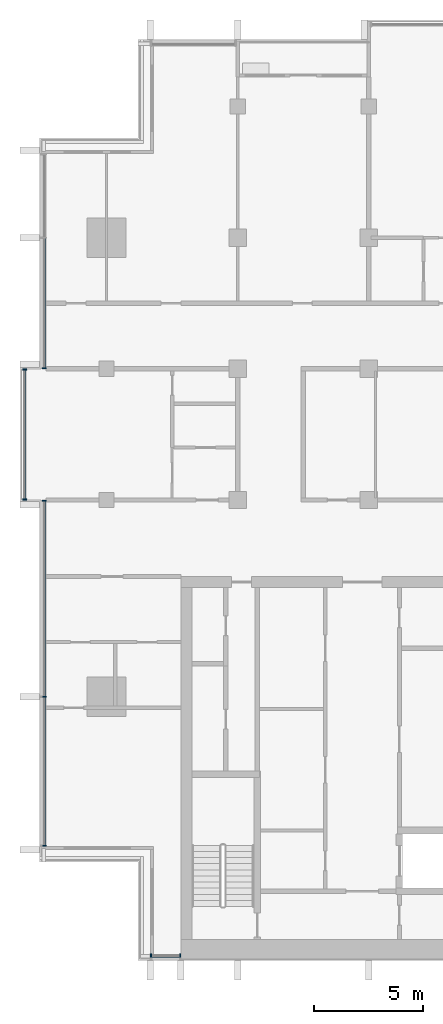
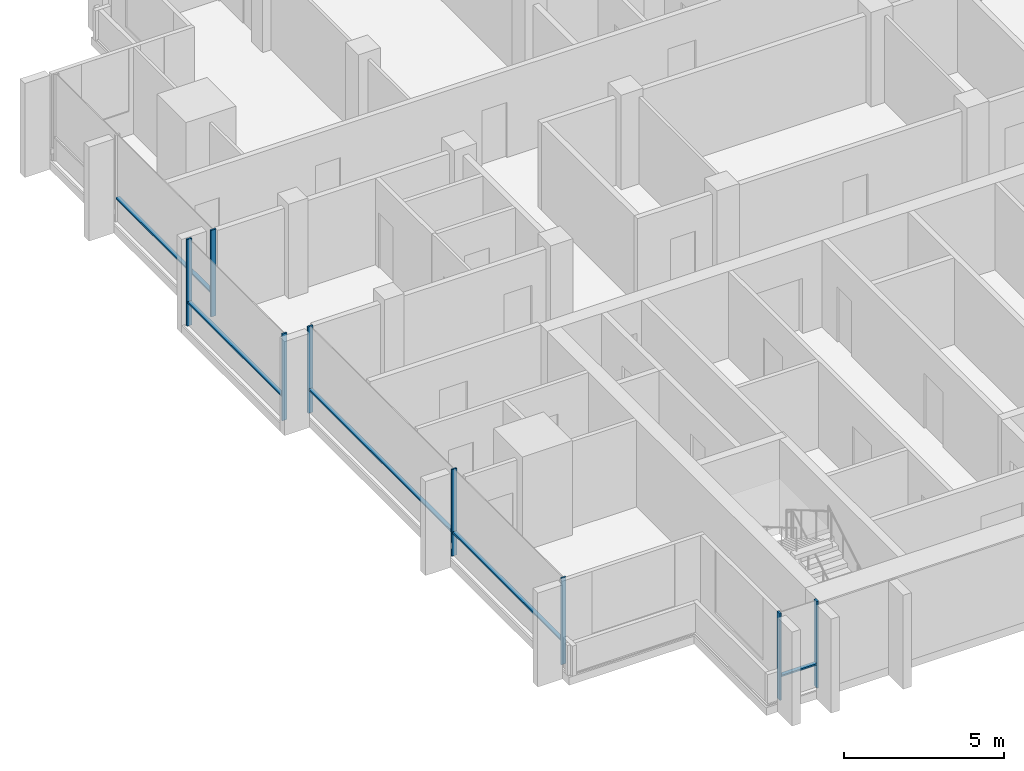
# One storey, part 2 of 16: 13 members, 4 elements without a shape of their own.
"""IFC4 building model written with IfcOpenShell, lengths in metres."""

from ifc_helpers import new_model, si_unit, direction, frame, origin, origin_2d, place, context, subcontext, project, spatial, rectangle, extrude, material, material_profile, profile_set, type_object, element, aggregate, save


model = new_model("IFC4")

# Units and contexts
model_context = context("Model", 3, precision=1e-05, world=origin(), true_north=direction((0.0, 1.0)))
body_context = subcontext(model_context, "Body", "Model", "MODEL_VIEW")
ifc_project = project(units=[si_unit("LENGTHUNIT", "METRE"), si_unit("AREAUNIT", "SQUARE_METRE"), si_unit("VOLUMEUNIT", "CUBIC_METRE"), si_unit("PLANEANGLEUNIT", "RADIAN"), si_unit("MASSUNIT", "GRAM", prefix="KILO")], contexts=[model_context])

# Site, building, storey
site_placement = place(None, origin())
site = spatial("IfcSite", under=ifc_project, at=site_placement, CompositionType="ELEMENT")
building_placement = place(site_placement, origin())
building = spatial("IfcBuilding", under=site, at=building_placement, Name="Finial Court Residences", CompositionType="ELEMENT")
storey_placement = place(building_placement, frame((0.0, 0.0, 255.5)))
storey = spatial("IfcBuildingStorey", under=building, at=storey_placement, Name="L64", CompositionType="ELEMENT", Elevation=255.5)

# Curtain wall, members
ifc_material = material(Name="Bronze anodised aluminium", Category="aluminium")
curtain_wall_type = type_object("IfcCurtainWallType", Name="Unitised curtain wall, upper zones", PredefinedType="NOTDEFINED", material=ifc_material)
curtain_wall_1_placement = place(storey_placement, origin())
curtain_wall_1 = element("IfcCurtainWall", 1, at=curtain_wall_1_placement, inside=storey, type_object=curtain_wall_type, Name="E-L64-CW-S7", PredefinedType="NOTDEFINED")
ifc_material_profile_1 = material_profile(ifc_material, rectangle(XDim=0.175048828125, YDim=0.06005859375, at=origin_2d()), Name="CW2 mullion 60 x 175")
ifc_profile_set_1 = profile_set([ifc_material_profile_1], Name="Bronze anodised aluminium")
member_type_1 = type_object("IfcMemberType", Name="CW2 mullion 60 x 175", PredefinedType="MULLION", material=ifc_profile_set_1)
member_1_placement = place(storey_placement, frame((-14.469970703125, -25.35009765625, 0.0), z_axis=(0.0, 0.0, 1.0), x_axis=(0.0, 1.0, 0.0)))
member_1 = element("IfcMember", 2, at=member_1_placement, type_object=member_type_1, Name="CW2 mullion 1", PredefinedType="MULLION", context=body_context, shape_type="SweptSolid", body=[
    extrude(rectangle(XDim=0.175048828125, YDim=0.06005859375, at=origin_2d()), origin(), (0.0, 0.0, 1.0), 3.300048828125),
])
member_2_placement = place(storey_placement, frame((-13.1298828125, -25.35009765625, 0.0), z_axis=(0.0, 0.0, 1.0), x_axis=(0.0, 1.0, 0.0)))
member_2 = element("IfcMember", 3, at=member_2_placement, type_object=member_type_1, Name="CW2 mullion 2", PredefinedType="MULLION", context=body_context, shape_type="SweptSolid", body=[
    extrude(rectangle(XDim=0.175048828125, YDim=0.06005859375, at=origin_2d()), origin(), (0.0, 0.0, 1.0), 3.300048828125),
])

curtain_wall_2_placement = place(storey_placement, origin())
curtain_wall_2 = element("IfcCurtainWall", 4, at=curtain_wall_2_placement, inside=storey, type_object=curtain_wall_type, Name="E-L64-CW-W9", PredefinedType="NOTDEFINED")
member_3_placement = place(storey_placement, frame((-19.35009765625, -20.320068359375, 0.0), z_axis=(0.0, 0.0, 1.0), x_axis=(-1.0, 0.0, 0.0)))
member_3 = element("IfcMember", 5, at=member_3_placement, type_object=member_type_1, Name="CW2 mullion 1", PredefinedType="MULLION", context=body_context, shape_type="SweptSolid", body=[
    extrude(rectangle(XDim=0.175048828125, YDim=0.06005859375, at=origin_2d()), origin(), (0.0, 0.0, 1.0), 3.300048828125),
])
member_4_placement = place(storey_placement, frame((-19.35009765625, -13.5, 0.0), z_axis=(0.0, 0.0, 1.0), x_axis=(-1.0, 0.0, 0.0)))
member_4 = element("IfcMember", 6, at=member_4_placement, type_object=member_type_1, Name="CW2 mullion 2", PredefinedType="MULLION", context=body_context, shape_type="SweptSolid", body=[
    extrude(rectangle(XDim=0.175048828125, YDim=0.06005859375, at=origin_2d()), origin(), (0.0, 0.0, 1.0), 3.300048828125),
])
member_5_placement = place(storey_placement, frame((-19.35009765625, -4.530029296875, 0.0), z_axis=(0.0, 0.0, 1.0), x_axis=(-1.0, 0.0, 0.0)))
member_5 = element("IfcMember", 7, at=member_5_placement, type_object=member_type_1, Name="CW2 mullion 3", PredefinedType="MULLION", context=body_context, shape_type="SweptSolid", body=[
    extrude(rectangle(XDim=0.175048828125, YDim=0.06005859375, at=origin_2d()), origin(), (0.0, 0.0, 1.0), 3.300048828125),
])

curtain_wall_3_placement = place(storey_placement, origin())
curtain_wall_3 = element("IfcCurtainWall", 8, at=curtain_wall_3_placement, inside=storey, type_object=curtain_wall_type, Name="E-L64-CW-W10", PredefinedType="NOTDEFINED")
member_6_placement = place(storey_placement, frame((-20.25, -4.469970703125, 0.0), z_axis=(0.0, 0.0, 1.0), x_axis=(-1.0, 0.0, 0.0)))
member_6 = element("IfcMember", 9, at=member_6_placement, type_object=member_type_1, Name="CW2 mullion 1", PredefinedType="MULLION", context=body_context, shape_type="SweptSolid", body=[
    extrude(rectangle(XDim=0.175048828125, YDim=0.06005859375, at=origin_2d()), origin(), (0.0, 0.0, 1.0), 3.300048828125),
])
member_7_placement = place(storey_placement, frame((-20.25, 1.469970703125, 0.0), z_axis=(0.0, 0.0, 1.0), x_axis=(-1.0, 0.0, 0.0)))
member_7 = element("IfcMember", 10, at=member_7_placement, type_object=member_type_1, Name="CW2 mullion 2", PredefinedType="MULLION", context=body_context, shape_type="SweptSolid", body=[
    extrude(rectangle(XDim=0.175048828125, YDim=0.06005859375, at=origin_2d()), origin(), (0.0, 0.0, 1.0), 3.300048828125),
])

# Curtain wall, member
curtain_wall_4_placement = place(storey_placement, origin())
curtain_wall_4 = element("IfcCurtainWall", 11, at=curtain_wall_4_placement, inside=storey, type_object=curtain_wall_type, Name="E-L64-CW-W11", PredefinedType="NOTDEFINED")
member_8_placement = place(storey_placement, frame((-19.35009765625, 1.530029296875, 0.0), z_axis=(0.0, 0.0, 1.0), x_axis=(-1.0, 0.0, 0.0)))
member_8 = element("IfcMember", 12, at=member_8_placement, type_object=member_type_1, Name="CW2 mullion 1", PredefinedType="MULLION", context=body_context, shape_type="SweptSolid", body=[
    extrude(rectangle(XDim=0.175048828125, YDim=0.06005859375, at=origin_2d()), origin(), (0.0, 0.0, 1.0), 3.300048828125),
])

# Member
ifc_material_profile_2 = material_profile(ifc_material, rectangle(XDim=0.139892578125, YDim=0.06005859375, at=origin_2d()), Name="CW2 transom 60 x 140")
ifc_profile_set_2 = profile_set([ifc_material_profile_2], Name="Bronze anodised aluminium")
member_type_2 = type_object("IfcMemberType", Name="CW2 transom 60 x 140", PredefinedType="USERDEFINED", material=ifc_profile_set_2)
member_9_placement = place(storey_placement, frame((-14.43994140625, -25.35009765625, 0.89990234375), z_axis=(1.0, 0.0, 0.0), x_axis=(0.0, 1.0, 0.0)))
member_9 = element("IfcMember", 13, at=member_9_placement, type_object=member_type_2, Name="CW2 transom 1.1", ObjectType="TRANSOM", PredefinedType="USERDEFINED", context=body_context, shape_type="SweptSolid", body=[
    extrude(rectangle(XDim=0.139892578125, YDim=0.06005859375, at=origin_2d()), origin(), (0.0, 0.0, 1.0), 1.280029296875),
])

aggregate(curtain_wall_1, [member_1, member_2, member_9])

member_10_placement = place(storey_placement, frame((-19.35009765625, -20.2900390625, 0.89990234375), z_axis=(0.0, 1.0, 0.0), x_axis=(-1.0, 0.0, 0.0)))
member_10 = element("IfcMember", 14, at=member_10_placement, type_object=member_type_2, Name="CW2 transom 1.1", ObjectType="TRANSOM", PredefinedType="USERDEFINED", context=body_context, shape_type="SweptSolid", body=[
    extrude(rectangle(XDim=0.139892578125, YDim=0.06005859375, at=origin_2d()), origin(), (0.0, 0.0, 1.0), 6.760009765625),
])

member_11_placement = place(storey_placement, frame((-19.35009765625, -13.469970703125, 0.89990234375), z_axis=(0.0, 1.0, 0.0), x_axis=(-1.0, 0.0, 0.0)))
member_11 = element("IfcMember", 15, at=member_11_placement, type_object=member_type_2, Name="CW2 transom 2.1", ObjectType="TRANSOM", PredefinedType="USERDEFINED", context=body_context, shape_type="SweptSolid", body=[
    extrude(rectangle(XDim=0.139892578125, YDim=0.06005859375, at=origin_2d()), origin(), (0.0, 0.0, 1.0), 8.909912109375),
])

aggregate(curtain_wall_2, [member_3, member_4, member_5, member_10, member_11])

member_12_placement = place(storey_placement, frame((-20.25, -4.43994140625, 0.89990234375), z_axis=(0.0, 1.0, 0.0), x_axis=(-1.0, 0.0, 0.0)))
member_12 = element("IfcMember", 16, at=member_12_placement, type_object=member_type_2, Name="CW2 transom 1.1", ObjectType="TRANSOM", PredefinedType="USERDEFINED", context=body_context, shape_type="SweptSolid", body=[
    extrude(rectangle(XDim=0.139892578125, YDim=0.06005859375, at=origin_2d()), origin(), (0.0, 0.0, 1.0), 5.8798828125),
])

aggregate(curtain_wall_3, [member_6, member_7, member_12])

member_13_placement = place(storey_placement, frame((-19.35009765625, 1.56005859375, 0.89990234375), z_axis=(0.0, 1.0, 0.0), x_axis=(-1.0, 0.0, 0.0)))
member_13 = element("IfcMember", 17, at=member_13_placement, type_object=member_type_2, Name="CW2 transom 1.1", ObjectType="TRANSOM", PredefinedType="USERDEFINED", context=body_context, shape_type="SweptSolid", body=[
    extrude(rectangle(XDim=0.139892578125, YDim=0.06005859375, at=origin_2d()), origin(), (0.0, 0.0, 1.0), 5.909912109375),
])

aggregate(curtain_wall_4, [member_8, member_13])

save(model, "model.ifc")
